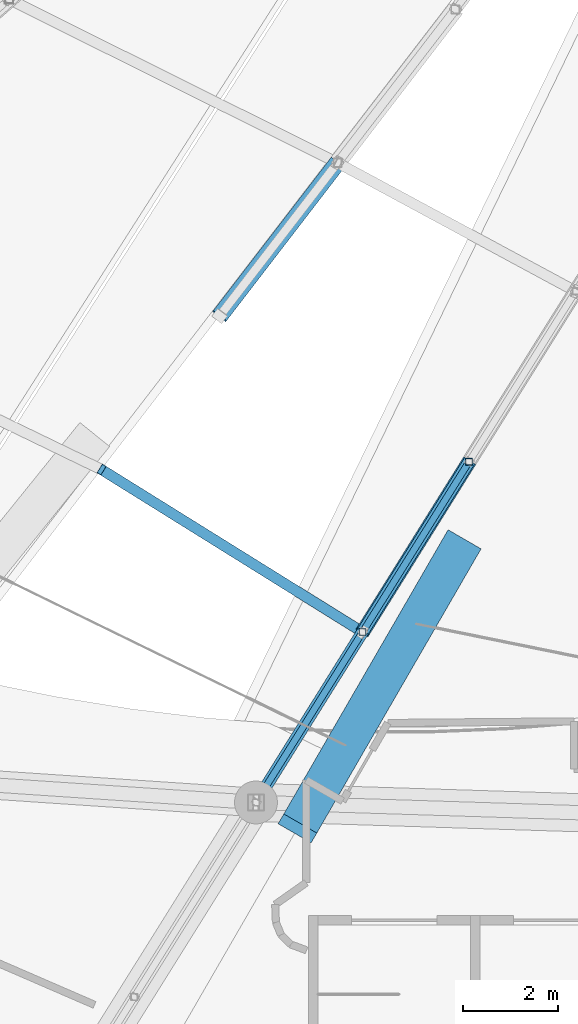
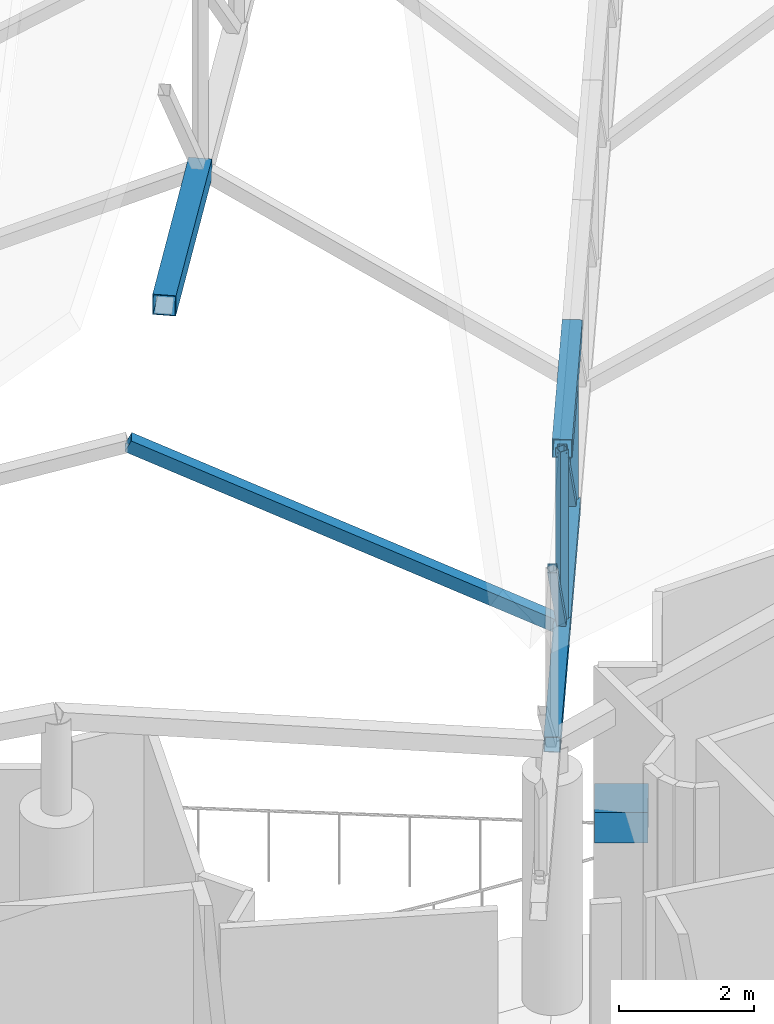
# One storey, part 11 of 344: 9 members, 1 beam.
"""IFC4 building model written with IfcOpenShell, lengths in metres."""

from ifc_helpers import new_model, si_unit, direction, frame, origin, origin_2d, place, context, subcontext, project, spatial, rectangle, hollow_rectangle, extrude, material, material_profile, profile_set, type_object, element, save


model = new_model("IFC4")

# Units and contexts
model_context = context("Model", 3, precision=1e-05, world=origin(), true_north=direction((0.0, 1.0)))
body_context = subcontext(model_context, "Body", "Model", "MODEL_VIEW")
ifc_project = project(units=[si_unit("LENGTHUNIT", "METRE"), si_unit("AREAUNIT", "SQUARE_METRE"), si_unit("VOLUMEUNIT", "CUBIC_METRE"), si_unit("PLANEANGLEUNIT", "RADIAN"), si_unit("MASSUNIT", "GRAM", prefix="KILO")], contexts=[model_context])

# Site, building, storey
site_placement = place(None, origin())
site = spatial("IfcSite", under=ifc_project, at=site_placement, CompositionType="ELEMENT")
building_placement = place(site_placement, origin())
building = spatial("IfcBuilding", under=site, at=building_placement, Name="Meseta Stadium", CompositionType="ELEMENT")
storey_placement = place(building_placement, frame((0.0, 0.0, 24.0)))
storey = spatial("IfcBuildingStorey", under=building, at=storey_placement, Name="L04", CompositionType="ELEMENT", Elevation=24.0)

# Beam
ifc_material_1 = material(Name="Concrete C40/50", Category="concrete")
ifc_material_profile_1 = material_profile(ifc_material_1, rectangle(XDim=0.800048828125, YDim=0.449951171875, at=origin_2d()), Name="RC 800x450")
ifc_profile_set_1 = profile_set([ifc_material_profile_1], Name="Concrete C40/50")
beam_type = type_object("IfcBeamType", Name="RC raker upper rear 800x450", PredefinedType="USERDEFINED", material=ifc_profile_set_1)
beam_placement = place(storey_placement, frame((-42.015380859375, -84.707275390625, -1.177001953125), z_axis=(-0.424672671023, -0.734687631023, 0.529043672401), x_axis=(0.865769864994, -0.5004423452, 0.0)))
element("IfcBeam", 1, at=beam_placement, inside=storey, type_object=beam_type, Name="Raker upper rear frame 43 upper tier", ObjectType="RAKER", PredefinedType="USERDEFINED", context=body_context, shape_type="SweptSolid", body=[
    extrude(rectangle(XDim=0.800048828125, YDim=0.449951171875, at=origin_2d()), origin(), (0.0, 0.0, 1.0), 8.116943359375),
])

# Members
ifc_material_2 = material(Name="Steel S355", Category="steel")
ifc_material_profile_2 = material_profile(ifc_material_2, hollow_rectangle(XDim=0.139892578125, YDim=0.139892578125, WallThickness=0.0048828125, at=origin_2d()), Name="SHS 140x140x5")
ifc_profile_set_2 = profile_set([ifc_material_profile_2], Name="Steel S355")
member_type_1 = type_object("IfcMemberType", Name="SHS 140x140x5 diagonal", PredefinedType="BRACE", material=ifc_profile_set_2)
member_1_placement = place(storey_placement, frame((-41.861328125, -82.97607421875, 3.040771484375), z_axis=(-0.385662865992, -0.616647886735, 0.686301346043), x_axis=(0.847838876292, -0.530253939021, 0.0)))
element("IfcMember", 2, at=member_1_placement, inside=storey, type_object=member_type_1, Name="ROOF TRUSS RT-43 diagonal", PredefinedType="BRACE", context=body_context, shape_type="SweptSolid", body=[
    extrude(hollow_rectangle(XDim=0.139892578125, YDim=0.139892578125, WallThickness=0.0048828125, at=origin_2d()), origin(), (0.0, 0.0, 1.0), 5.79736328125),
])
member_2_placement = place(storey_placement, frame((-44.09716796875, -86.551025390625, 3.819580078125), z_axis=(-0.385688698076, -0.616663969278, 0.686272378266), x_axis=(0.847829126423, -0.53026952806, 0.0)))
element("IfcMember", 3, at=member_2_placement, inside=storey, type_object=member_type_1, Name="ROOF TRUSS RT-43 diagonal", PredefinedType="BRACE", context=body_context, shape_type="SweptSolid", body=[
    extrude(hollow_rectangle(XDim=0.139892578125, YDim=0.139892578125, WallThickness=0.0048828125, at=origin_2d()), origin(), (0.0, 0.0, 1.0), 5.797607421875),
])
ifc_material_3 = material(Name="Steel S355", Category="steel")
ifc_material_profile_3 = material_profile(ifc_material_3, hollow_rectangle(XDim=0.139892578125, YDim=0.139892578125, WallThickness=0.0048828125, at=origin_2d()), Name="SHS 140x140x5")
ifc_profile_set_3 = profile_set([ifc_material_profile_3], Name="Steel S355")
member_type_2 = type_object("IfcMemberType", Name="SHS 140x140x5 post", PredefinedType="POST", material=ifc_profile_set_3)
for number, where, z_axis, x_axis, name in (
    (4, (-41.861328125, -82.97607421875, 3.040771484375), (0.0, 0.0, 1.0), (1.0, 0.0, 0.0), "ROOF TRUSS RT-43 post"),
    (5, (-44.09716796875, -86.551025390625, 3.819580078125), (0.0, 0.0, 1.0), (1.0, 0.0, 0.0), "ROOF TRUSS RT-43 post"),
):
    element("IfcMember", number, at=place(storey_placement, frame(where, z_axis=z_axis, x_axis=x_axis)), inside=storey, type_object=member_type_2, Name=name, PredefinedType="POST", context=body_context, shape_type="SweptSolid", body=[
        extrude(hollow_rectangle(XDim=0.139892578125, YDim=0.139892578125, WallThickness=0.0048828125, at=origin_2d()), origin(), (0.0, 0.0, 1.0), 3.199951171875),
    ])
ifc_material_4 = material(Name="Steel S355", Category="steel")
ifc_material_profile_4 = material_profile(ifc_material_4, hollow_rectangle(XDim=0.219970703125, YDim=0.219970703125, WallThickness=0.008056640625, at=origin_2d()), Name="SHS 220x220x8")
ifc_profile_set_4 = profile_set([ifc_material_profile_4], Name="Steel S355")
member_type_3 = type_object("IfcMemberType", Name="SHS 220x220x8 strut", PredefinedType="STRUT", material=ifc_profile_set_4)
member_3_placement = place(storey_placement, frame((-49.572998046875, -83.141357421875, 6.985107421875), z_axis=(0.762068858713, -0.474521988532, -0.440545045346), x_axis=(0.528579551307, 0.84888377175, 0.0)))
element("IfcMember", 6, at=member_3_placement, inside=storey, type_object=member_type_3, Name="ROOF TRUSS STRUT RT-42/43", PredefinedType="STRUT", context=body_context, shape_type="SweptSolid", body=[
    extrude(hollow_rectangle(XDim=0.219970703125, YDim=0.219970703125, WallThickness=0.008056640625, at=origin_2d()), origin(), (0.0, 0.0, 1.0), 7.185546875),
])
ifc_material_5 = material(Name="Steel S355", Category="steel")
ifc_material_profile_5 = material_profile(ifc_material_5, hollow_rectangle(XDim=0.25, YDim=0.25, WallThickness=0.010009765625, at=origin_2d()), Name="SHS 250x250x10")
ifc_profile_set_5 = profile_set([ifc_material_profile_5], Name="Steel S355")
member_type_4 = type_object("IfcMemberType", Name="SHS 250x250x10 bottom chord", PredefinedType="CHORD", material=ifc_profile_set_5)
member_4_placement = place(storey_placement, frame((-41.861328125, -82.97607421875, 3.040771484375), z_axis=(-0.521434116644, -0.833736598604, 0.181630796254), x_axis=(0.847838876292, -0.530253939021, 0.0)))
element("IfcMember", 7, at=member_4_placement, inside=storey, type_object=member_type_4, Name="ROOF TRUSS RT-43 bottom chord", PredefinedType="CHORD", context=body_context, shape_type="SweptSolid", body=[
    extrude(hollow_rectangle(XDim=0.25, YDim=0.25, WallThickness=0.010009765625, at=origin_2d()), origin(), (0.0, 0.0, 1.0), 4.287841796875),
])
member_5_placement = place(storey_placement, frame((-44.09716796875, -86.551025390625, 3.819580078125), z_axis=(-0.521450818859, -0.833729205304, 0.181616782636), x_axis=(0.847829126423, -0.53026952806, 0.0)))
element("IfcMember", 8, at=member_5_placement, inside=storey, type_object=member_type_4, Name="ROOF TRUSS RT-43 bottom chord", PredefinedType="CHORD", context=body_context, shape_type="SweptSolid", body=[
    extrude(hollow_rectangle(XDim=0.25, YDim=0.25, WallThickness=0.010009765625, at=origin_2d()), origin(), (0.0, 0.0, 1.0), 4.2880859375),
])
ifc_material_6 = material(Name="Steel S355", Category="steel")
ifc_material_profile_6 = material_profile(ifc_material_6, hollow_rectangle(XDim=0.300048828125, YDim=0.300048828125, WallThickness=0.010009765625, at=origin_2d()), Name="SHS 300x300x10")
ifc_profile_set_6 = profile_set([ifc_material_profile_6], Name="Steel S355")
member_type_5 = type_object("IfcMemberType", Name="SHS 300x300x10 top chord", PredefinedType="CHORD", material=ifc_profile_set_6)
member_6_placement = place(storey_placement, frame((-41.861328125, -82.97607421875, 6.24072265625), z_axis=(-0.521434116644, -0.833736598604, 0.181630796254), x_axis=(0.847838876292, -0.530253939021, 0.0)))
element("IfcMember", 9, at=member_6_placement, inside=storey, type_object=member_type_5, Name="ROOF TRUSS RT-43 top chord", PredefinedType="CHORD", context=body_context, shape_type="SweptSolid", body=[
    extrude(hollow_rectangle(XDim=0.300048828125, YDim=0.300048828125, WallThickness=0.010009765625, at=origin_2d()), origin(), (0.0, 0.0, 1.0), 4.287841796875),
])
ifc_material_7 = material(Name="Steel S355", Category="steel")
ifc_material_profile_7 = material_profile(ifc_material_7, hollow_rectangle(XDim=0.35009765625, YDim=0.35009765625, WallThickness=0.010009765625, at=origin_2d()), Name="SHS 350x350x10")
ifc_profile_set_7 = profile_set([ifc_material_profile_7], Name="Steel S355")
member_type_6 = type_object("IfcMemberType", Name="SHS 350x350x10 bottom chord", PredefinedType="CHORD", material=ifc_profile_set_7)
member_7_placement = place(storey_placement, frame((-44.622802734375, -76.703369140625, 6.316162109375), z_axis=(-0.607490590337, -0.790073331386, 0.082093323019), x_axis=(0.792749139849, -0.609548030321, 0.0)))
element("IfcMember", 10, at=member_7_placement, inside=storey, type_object=member_type_6, Name="ROOF TRUSS RT-42 bottom chord", PredefinedType="CHORD", context=body_context, shape_type="SweptSolid", body=[
    extrude(hollow_rectangle(XDim=0.35009765625, YDim=0.35009765625, WallThickness=0.010009765625, at=origin_2d()), origin(), (0.0, 0.0, 1.0), 4.07421875),
])

save(model, "model.ifc")
